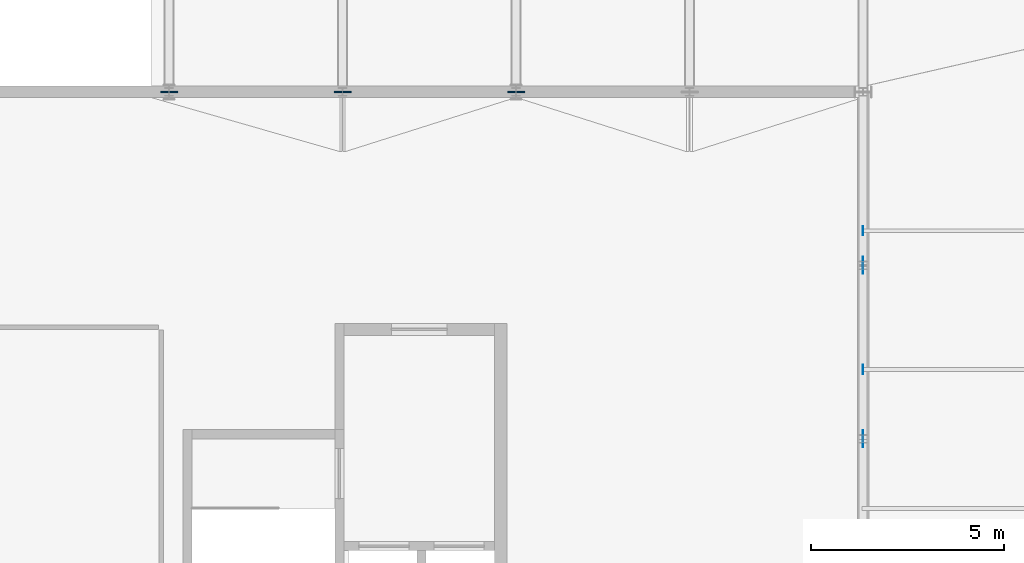
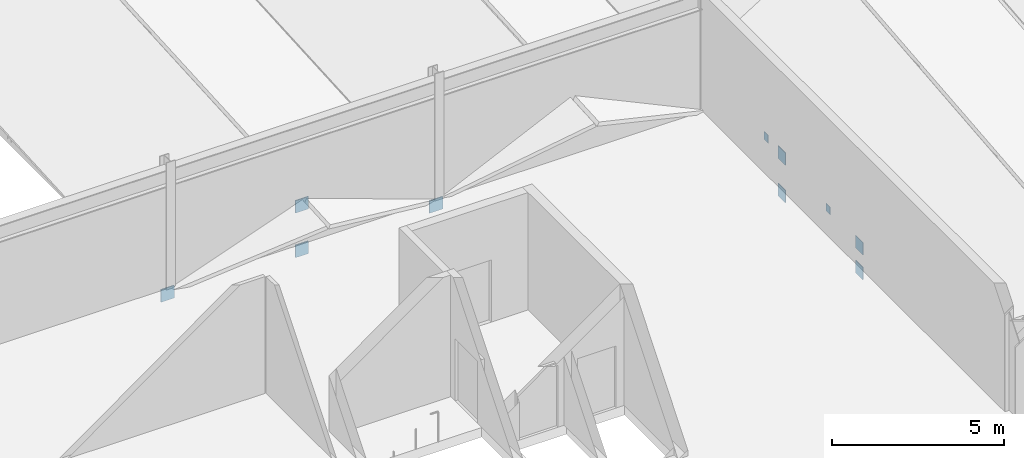
# One storey, part 109 of 142: 10 plates.
"""IFC4 building model written with IfcOpenShell, lengths in metres."""

import ifcopenshell
import ifcopenshell.guid

model = None  # the IFC model being written
_history = None  # IfcOwnerHistory: only IFC2X3 demands one
_inside = {}  # id of a spatial element -> (the spatial element, [elements in it])
_under = {}  # id of a project, library or spatial element -> (it, [spatial elements below it])
_declared = {}  # id of a project -> (the project, [libraries it declares])
_typed = {}  # id of a type object -> (the type object, [elements of that type])
_made_of = {}  # id of a material, layer set ... -> (it, [elements and type objects made of it])


def new_model(schema):
    """Start an empty IFC model of exactly this schema.

    Asked for "IFC4X3", IfcOpenShell would pick the latest addendum, in which some entities
    have other attributes; the version numbers below select the first issue.
    IFC2X3 requires an IfcOwnerHistory on every rooted entity: one is made here for all.
    """
    global model, _history
    if schema == "IFC4X3":
        model = ifcopenshell.file(schema_version=(4, 3, 0, 0))
    else:
        model = ifcopenshell.file(schema=schema)
    _inside.clear()
    _under.clear()
    _declared.clear()
    _typed.clear()
    _made_of.clear()
    _history = None
    if model.schema == "IFC2X3":
        org = make("IfcOrganization", Name="unknown")
        user = make(
            "IfcPersonAndOrganization",
            ThePerson=make("IfcPerson", FamilyName="unknown"),
            TheOrganization=org,
        )
        app = make(
            "IfcApplication",
            ApplicationDeveloper=org,
            Version="unknown",
            ApplicationFullName="unknown",
            ApplicationIdentifier="unknown",
        )
        _history = make(
            "IfcOwnerHistory",
            OwningUser=user,
            OwningApplication=app,
            ChangeAction="ADDED",
            CreationDate=0,
        )
    return model


def make(cls, **values):
    """One entity of the class cls with the attributes given. An attribute that is None is left unset."""
    return model.create_entity(
        cls, **{name: value for name, value in values.items() if value is not None}
    )


def rooted(cls, **values):
    """An entity with a GlobalId (a new one), such as an element, a storey or a relation."""
    return make(cls, GlobalId=ifcopenshell.guid.new(), OwnerHistory=_history, **values)


def si_unit(unit_type, name, prefix=None):
    """IfcSIUnit, for example si_unit("LENGTHUNIT", "METRE", prefix="MILLI")."""
    return make("IfcSIUnit", UnitType=unit_type, Prefix=prefix, Name=name)


def assignment(units):
    """IfcUnitAssignment: the units of a project."""
    return None if units is None else make("IfcUnitAssignment", Units=units)


def point(xyz):
    """IfcCartesianPoint."""
    return None if xyz is None else make("IfcCartesianPoint", Coordinates=xyz)


def direction(xyz):
    """IfcDirection."""
    return None if xyz is None else make("IfcDirection", DirectionRatios=xyz)


def frame(location, z_axis=None, x_axis=None):
    """IfcAxis2Placement3D, a coordinate frame: its origin and axes. An axis left out is left unset."""
    return make(
        "IfcAxis2Placement3D",
        Location=point(location),
        Axis=direction(z_axis),
        RefDirection=direction(x_axis),
    )


def frame_2d(location, x_axis=None):
    """IfcAxis2Placement2D, a coordinate frame in the plane: its origin and x axis."""
    return make(
        "IfcAxis2Placement2D", Location=point(location), RefDirection=direction(x_axis)
    )


def origin():
    """The frame at (0, 0, 0) with its axes left unset."""
    return frame((0.0, 0.0, 0.0))


def origin_2d():
    """The frame at (0, 0) in the plane with its x axis left unset."""
    return frame_2d((0.0, 0.0))


def place(relative_to, where):
    """IfcLocalPlacement: puts the frame where relative to a parent placement (None: the world)."""
    return make(
        "IfcLocalPlacement", PlacementRelTo=relative_to, RelativePlacement=where
    )


def context(
    kind, dimensions, precision=None, world=None, true_north=None, identifier=None
):
    """IfcGeometricRepresentationContext, for example the 3D "Model" context."""
    return make(
        "IfcGeometricRepresentationContext",
        ContextIdentifier=identifier,
        ContextType=kind,
        CoordinateSpaceDimension=dimensions,
        Precision=precision,
        WorldCoordinateSystem=world,
        TrueNorth=true_north,
    )


def subcontext(parent, identifier, kind, view, scale=None):
    """IfcGeometricRepresentationSubContext, for example "Body" below "Model"."""
    return make(
        "IfcGeometricRepresentationSubContext",
        ContextIdentifier=identifier,
        ContextType=kind,
        ParentContext=parent,
        TargetScale=scale,
        TargetView=view,
    )


def project(units=None, contexts=None):
    """IfcProject with its units and contexts."""
    return rooted(
        "IfcProject",
        Name="project",
        RepresentationContexts=contexts,
        UnitsInContext=assignment(units),
    )


def spatial(cls, under=None, at=None, **own):
    """A site, building, storey or space (cls), placed at a placement, below another one or the project."""
    s = rooted(cls, ObjectPlacement=at, **own)
    if under is not None:
        _under.setdefault(under.id(), (under, []))[1].append(s)
    return s


def profile(cls, at=None, kind="AREA", **sizes):
    """A parametric profile (cls). Its sizes go by their IFC names, for example OverallWidth=200.0."""
    return make(cls, ProfileType=kind, Position=at, **sizes)


def rectangle(**sizes):
    """IfcRectangleProfileDef."""
    return profile("IfcRectangleProfileDef", **sizes)


def extrude(swept, where, along, depth):
    """IfcExtrudedAreaSolid: the profile swept, set in the frame where, extruded along a direction by depth."""
    return make(
        "IfcExtrudedAreaSolid",
        SweptArea=swept,
        Position=where,
        ExtrudedDirection=direction(along),
        Depth=depth,
    )


def shape(context_of_items, identifier, shape_type, items):
    """IfcShapeRepresentation: the items that make up one representation, for example the "Body"."""
    return make(
        "IfcShapeRepresentation",
        ContextOfItems=context_of_items,
        RepresentationIdentifier=identifier,
        RepresentationType=shape_type,
        Items=items,
    )


def material(Name=None, Category=None):
    """IfcMaterial."""
    return make("IfcMaterial", Name=Name, Category=Category)


def layer(
    of_material, thickness, ventilated=None, Name=None, Category=None, Priority=None
):
    """IfcMaterialLayer: one layer of a wall or slab, of a material (None: an air gap)."""
    return make(
        "IfcMaterialLayer",
        Material=of_material,
        LayerThickness=thickness,
        IsVentilated=ventilated,
        Name=Name,
        Category=Category,
        Priority=Priority,
    )


def layer_set(layers, Name=None):
    """IfcMaterialLayerSet."""
    return make("IfcMaterialLayerSet", MaterialLayers=layers, LayerSetName=Name)


def made_of(thing, what):
    """Note that an element or type object is made of a material, layer set ...; save() writes the relation."""
    if what is not None:
        _made_of.setdefault(what.id(), (what, []))[1].append(thing)
    return thing


def type_object(cls, material=None, **own):
    """A type object (cls), such as IfcWallType, which elements share."""
    return made_of(rooted(cls, **own), material)


def element(
    cls,
    number,
    at=None,
    inside=None,
    cuts=None,
    type_object=None,
    material=None,
    context=None,
    identifier="Body",
    shape_type=None,
    held_by="IfcProductDefinitionShape",
    body=None,
    shapes=None,
    **own,
):
    """One element of the class cls, such as IfcWall. Its Tag is "e" and its number.

    at: its placement. inside: the storey or other place that contains it. cuts: it is an
    opening in that element (IfcRelVoidsElement). A single representation is given by context,
    identifier, shape_type and body (its items); several are given by shapes. held_by: the class
    of the entity that holds the representations. save() writes the other relations.
    """
    e = rooted(cls, Tag="e%d" % number, ObjectPlacement=at, **own)
    if body is not None:
        shapes = [shape(context, identifier, shape_type, body)]
    if shapes is not None:
        e.Representation = make(held_by, Representations=shapes)
    if inside is not None:
        _inside.setdefault(inside.id(), (inside, []))[1].append(e)
    if cuts is not None:
        rooted(
            "IfcRelVoidsElement", RelatingBuildingElement=cuts, RelatedOpeningElement=e
        )
    if type_object is not None:
        _typed.setdefault(type_object.id(), (type_object, []))[1].append(e)
    return made_of(e, material)


def aggregate(whole, parts):
    """IfcRelAggregates: a whole, such as a stair, and the parts it consists of."""
    return rooted("IfcRelAggregates", RelatingObject=whole, RelatedObjects=parts)


def save(model, path):
    """Write the relations noted so far, then the file.

    IfcRelAggregates (storeys below a building ...), IfcRelContainedInSpatialStructure (elements
    in a storey), IfcRelDefinesByType, IfcRelAssociatesMaterial and IfcRelDeclares: one each for
    every whole, place, type object, material and project.
    """
    for whole, parts in _under.values():
        aggregate(whole, parts)
    for where, things in _inside.values():
        rooted(
            "IfcRelContainedInSpatialStructure",
            RelatedElements=things,
            RelatingStructure=where,
        )
    for kind, things in _typed.values():
        rooted("IfcRelDefinesByType", RelatedObjects=things, RelatingType=kind)
    for what, things in _made_of.values():
        rooted("IfcRelAssociatesMaterial", RelatedObjects=things, RelatingMaterial=what)
    for by, libraries in _declared.values():
        rooted("IfcRelDeclares", RelatingContext=by, RelatedDefinitions=libraries)
    model.write(path)


model = new_model("IFC4")

# Units and contexts
model_context = context("Model", 3, precision=1e-05, world=origin(), true_north=direction((0.0, 1.0)))
body_context = subcontext(model_context, "Body", "Model", "MODEL_VIEW")
ifc_project = project(units=[si_unit("LENGTHUNIT", "METRE"), si_unit("AREAUNIT", "SQUARE_METRE"), si_unit("VOLUMEUNIT", "CUBIC_METRE"), si_unit("PLANEANGLEUNIT", "RADIAN"), si_unit("MASSUNIT", "GRAM", prefix="KILO")], contexts=[model_context])

# Site, building, storey
site_placement = place(None, origin())
site = spatial("IfcSite", under=ifc_project, at=site_placement, CompositionType="ELEMENT")
building_placement = place(site_placement, origin())
building = spatial("IfcBuilding", under=site, at=building_placement, Name="Montelvaro Courts of Justice", CompositionType="ELEMENT")
storey_placement = place(building_placement, frame((0.0, 0.0, 14.39990234375)))
storey = spatial("IfcBuildingStorey", under=building, at=storey_placement, Name="L03", CompositionType="ELEMENT", Elevation=14.39990234375)

# Plates
ifc_material = material(Name="Steel S355", Category="steel")
ifc_layer_1 = layer(ifc_material, 0.011962890625)
ifc_layer_set_1 = layer_set([ifc_layer_1], Name="Steel S355")
plate_type_1 = type_object("IfcPlateType", Name="EndCapPlate_12", PredefinedType="USERDEFINED", material=ifc_layer_set_1)
for number, where, z_axis, x_axis, name in (
    (1, (72.0, 34.800048828125, 0.6201171875), (0.0, 0.0, 1.0), (1.0, 0.0, 0.0), "Purlin End Cap Plate CP-01 01-3L-A"),
    (2, (72.0, 38.39990234375, 0.97998046875), (0.0, 0.0, 1.0), (1.0, 0.0, 0.0), "Purlin End Cap Plate CP-01 01-4L-A"),
):
    element("IfcPlate", number, at=place(storey_placement, frame(where, z_axis=z_axis, x_axis=x_axis)), inside=storey, type_object=plate_type_1, Name=name, ObjectType="GUSSET PLATE", PredefinedType="USERDEFINED", context=body_context, shape_type="SweptSolid", body=[
        extrude(rectangle(XDim=0.011962890625, YDim=0.239990234375, at=origin_2d()), origin(), (0.0, 0.0, 1.0), 0.280029296875),
    ])
ifc_layer_2 = layer(ifc_material, 0.035888671875)
ifc_layer_set_2 = layer_set([ifc_layer_2], Name="Steel S355")
plate_type_2 = type_object("IfcPlateType", Name="EndCapPlate_36", PredefinedType="USERDEFINED", material=ifc_layer_set_2)
for number, where, z_axis, x_axis, name in (
    (3, (54.0, 42.0, -0.519775390625), (0.0, 0.0, 1.0), (1.0, 0.0, 0.0), "Roof Truss End Cap Plate CP-02 ROOF-PASSAGE-VTR01-B0"),
    (4, (63.0, 42.0, -0.519775390625), (0.0, 0.0, 1.0), (1.0, 0.0, 0.0), "Roof Truss End Cap Plate CP-02 ROOF-PASSAGE-VTR02-B0"),
    (5, (58.5, 42.0, -0.519775390625), (0.0, 0.0, 1.0), (1.0, 0.0, 0.0), "Roof Truss End Cap Plate CP-02 ROOF-PASSAGE-RTR01-B0"),
    (6, (58.5, 42.0, 1.06005859375), (0.0, 0.0, 1.0), (1.0, 0.0, 0.0), "Roof Truss End Cap Plate CP-02 ROOF-PASSAGE-RTR01-T0"),
):
    element("IfcPlate", number, at=place(storey_placement, frame(where, z_axis=z_axis, x_axis=x_axis)), inside=storey, type_object=plate_type_2, Name=name, ObjectType="GUSSET PLATE", PredefinedType="USERDEFINED", context=body_context, shape_type="SweptSolid", body=[
        extrude(rectangle(XDim=0.43994140625, YDim=0.035888671875, at=origin_2d()), origin(), (0.0, 0.0, 1.0), 0.43994140625),
    ])
ifc_layer_3 = layer(ifc_material, 0.02001953125)
ifc_layer_set_3 = layer_set([ifc_layer_3], Name="Steel S355")
plate_type_3 = type_object("IfcPlateType", Name="GussetPlate_20", PredefinedType="USERDEFINED", material=ifc_layer_set_3)
for number, where, z_axis, x_axis, name in (
    (7, (72.0, 33.0, -0.519775390625), (0.0, 0.0, 1.0), (1.0, 0.0, 0.0), "Roof Truss Gusset Plate GP-01 ROOF-PASSAGE-S-VTR01-2B"),
    (8, (72.0, 33.0, 0.360107421875), (0.0, 0.0, 1.0), (1.0, 0.0, 0.0), "Roof Truss Gusset Plate GP-01 ROOF-PASSAGE-S-VTR01-2T"),
    (9, (72.0, 37.5, -0.519775390625), (0.0, 0.0, 1.0), (1.0, 0.0, 0.0), "Roof Truss Gusset Plate GP-01 ROOF-PASSAGE-S-VTR01-3B"),
    (10, (72.0, 37.5, 0.81005859375), (0.0, 0.0, 1.0), (1.0, 0.0, 0.0), "Roof Truss Gusset Plate GP-01 ROOF-PASSAGE-S-VTR01-3T"),
):
    element("IfcPlate", number, at=place(storey_placement, frame(where, z_axis=z_axis, x_axis=x_axis)), inside=storey, type_object=plate_type_3, Name=name, ObjectType="GUSSET PLATE", PredefinedType="USERDEFINED", context=body_context, shape_type="SweptSolid", body=[
        extrude(rectangle(XDim=0.02001953125, YDim=0.43994140625, at=origin_2d()), origin(), (0.0, 0.0, 1.0), 0.43994140625),
    ])

save(model, "model.ifc")
